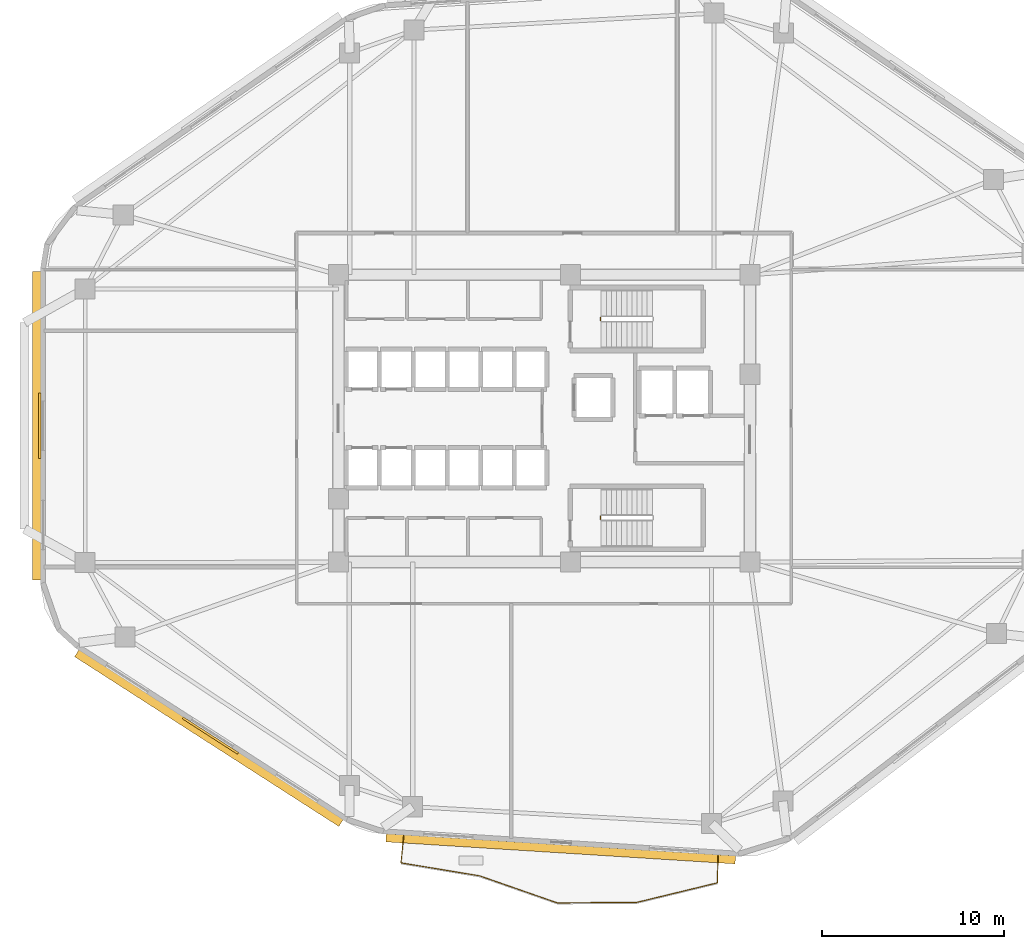
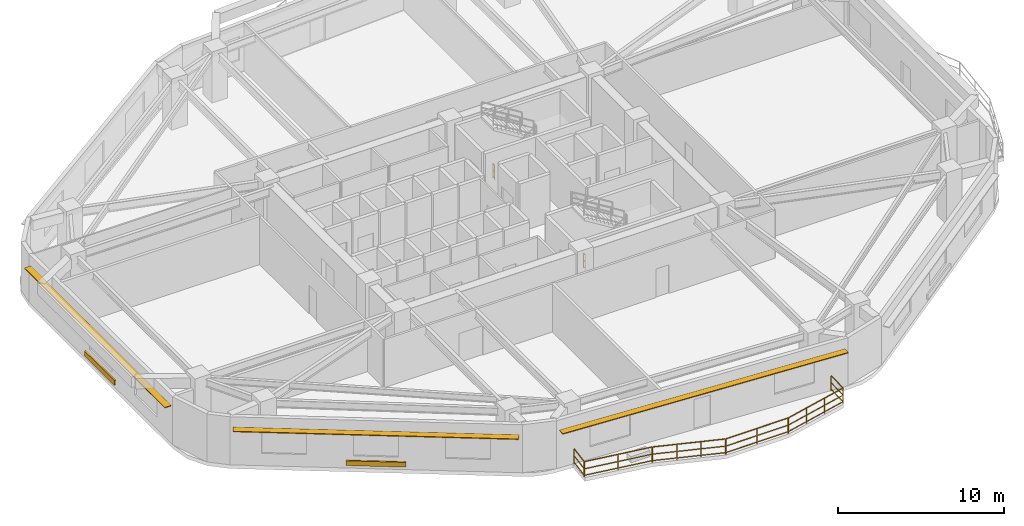
# One storey, part 7 of 9: 8 railings, 5 shading devices.
"""IFC4 building model written with IfcOpenShell, lengths in metres."""

from ifc_helpers import new_model, si_unit, direction, frame, origin, origin_2d, place, context, subcontext, project, spatial, rectangle, extrude, material, layer, layer_set, type_object, element, save


model = new_model("IFC4")

# Units and contexts
model_context = context("Model", 3, precision=1e-05, world=origin(), true_north=direction((0.0, 1.0)))
body_context = subcontext(model_context, "Body", "Model", "MODEL_VIEW")
ifc_project = project(units=[si_unit("LENGTHUNIT", "METRE"), si_unit("AREAUNIT", "SQUARE_METRE"), si_unit("VOLUMEUNIT", "CUBIC_METRE"), si_unit("PLANEANGLEUNIT", "RADIAN"), si_unit("MASSUNIT", "GRAM", prefix="KILO")], contexts=[model_context])

# Site, building, storey
site_placement = place(None, origin())
site = spatial("IfcSite", under=ifc_project, at=site_placement, CompositionType="ELEMENT")
building_placement = place(site_placement, origin())
building = spatial("IfcBuilding", under=site, at=building_placement, Name="Zulverin Broadcast Headquarters", CompositionType="ELEMENT")
storey_placement = place(building_placement, frame((0.0, 0.0, 112.39990234375)))
storey = spatial("IfcBuildingStorey", under=building, at=storey_placement, Name="L28", CompositionType="ELEMENT", Elevation=112.39990234375)

# Railings
ifc_material_1 = material(Name="Brushed stainless steel & laminated glass balustrade", Category="steel")
railing_type_1 = type_object("IfcRailingType", Name="RL-GUARD-1150", PredefinedType="GUARDRAIL", material=ifc_material_1)
railing_1_placement = place(storey_placement, frame((29.3076171875, 2.318603515625, 0.0)))
element("IfcRailing", 1, at=railing_1_placement, inside=storey, type_object=railing_type_1, Name="L28 Vertical-Forest Balcony Guardrail BAL_S Segment 01", PredefinedType="GUARDRAIL", context=body_context, shape_type="SweptSolid", body=[
    extrude(rectangle(XDim=0.048095703125, YDim=0.048095703125, at=origin_2d()), frame((0.0, 0.0, 1.1259765625), z_axis=(-0.103228615139, -0.99465765619, 0.0), x_axis=(0.99465765619, -0.103228615139, 0.0)), (0.0, 0.0, 1.0), 1.46630859375),
    extrude(rectangle(XDim=0.0419921875, YDim=0.0419921875, at=origin_2d()), frame((0.0, 0.0, 0.597900390625), z_axis=(-0.103228615139, -0.99465765619, 0.0), x_axis=(0.99465765619, -0.103228615139, 0.0)), (0.0, 0.0, 1.0), 1.46630859375),
    extrude(rectangle(XDim=0.0419921875, YDim=0.0419921875, at=origin_2d()), frame((0.0, 0.0, 0.1201171875), z_axis=(-0.103228615139, -0.99465765619, 0.0), x_axis=(0.99465765619, -0.103228615139, 0.0)), (0.0, 0.0, 1.0), 1.46630859375),
    extrude(rectangle(XDim=0.0419921875, YDim=0.0419921875, at=origin_2d()), origin(), (0.0, 0.0, 1.0), 1.101806640625),
    extrude(rectangle(XDim=0.0419921875, YDim=0.0419921875, at=origin_2d()), frame((-0.1513671875, -1.45849609375, 0.0)), (0.0, 0.0, 1.0), 1.101806640625),
])
railing_2_placement = place(storey_placement, frame((29.16943359375, 0.8427734375, 0.0)))
element("IfcRailing", 2, at=railing_2_placement, inside=storey, type_object=railing_type_1, Name="L28 Vertical-Forest Balcony Guardrail BAL_S Segment 02", PredefinedType="GUARDRAIL", context=body_context, shape_type="SweptSolid", body=[
    extrude(rectangle(XDim=0.048095703125, YDim=0.048095703125, at=origin_2d()), frame((0.0, 0.0, 1.1259765625), z_axis=(0.986654406781, -0.162828380758, 0.0), x_axis=(0.162828380758, 0.986654406781, 0.0)), (0.0, 0.0, 1.0), 4.336181640625),
    extrude(rectangle(XDim=0.0419921875, YDim=0.0419921875, at=origin_2d()), frame((0.0, 0.0, 0.597900390625), z_axis=(0.986654406781, -0.162828380758, 0.0), x_axis=(0.162828380758, 0.986654406781, 0.0)), (0.0, 0.0, 1.0), 4.336181640625),
    extrude(rectangle(XDim=0.0419921875, YDim=0.0419921875, at=origin_2d()), frame((0.0, 0.0, 0.1201171875), z_axis=(0.986654406781, -0.162828380758, 0.0), x_axis=(0.162828380758, 0.986654406781, 0.0)), (0.0, 0.0, 1.0), 4.336181640625),
    extrude(rectangle(XDim=0.0419921875, YDim=0.0419921875, at=origin_2d()), origin(), (0.0, 0.0, 1.0), 1.101806640625),
    extrude(rectangle(XDim=0.0419921875, YDim=0.0419921875, at=origin_2d()), frame((2.13916015625, -0.35302734375, 0.0)), (0.0, 0.0, 1.0), 1.101806640625),
    extrude(rectangle(XDim=0.0419921875, YDim=0.0419921875, at=origin_2d()), frame((4.2783203125, -0.7060546875, 0.0)), (0.0, 0.0, 1.0), 1.101806640625),
])
railing_3_placement = place(storey_placement, frame((33.476806640625, 0.12939453125, 0.0)))
element("IfcRailing", 3, at=railing_3_placement, inside=storey, type_object=railing_type_1, Name="L28 Vertical-Forest Balcony Guardrail BAL_S Segment 03", PredefinedType="GUARDRAIL", context=body_context, shape_type="SweptSolid", body=[
    extrude(rectangle(XDim=0.048095703125, YDim=0.048095703125, at=origin_2d()), frame((0.0, 0.0, 1.1259765625), z_axis=(0.944409276132, -0.328772138656, 0.0), x_axis=(0.328772138656, 0.944409276132, 0.0)), (0.0, 0.0, 1.0), 4.47998046875),
    extrude(rectangle(XDim=0.0419921875, YDim=0.0419921875, at=origin_2d()), frame((0.0, 0.0, 0.597900390625), z_axis=(0.944409276132, -0.328772138656, 0.0), x_axis=(0.328772138656, 0.944409276132, 0.0)), (0.0, 0.0, 1.0), 4.47998046875),
    extrude(rectangle(XDim=0.0419921875, YDim=0.0419921875, at=origin_2d()), frame((0.0, 0.0, 0.1201171875), z_axis=(0.944409276132, -0.328772138656, 0.0), x_axis=(0.328772138656, 0.944409276132, 0.0)), (0.0, 0.0, 1.0), 4.47998046875),
    extrude(rectangle(XDim=0.0419921875, YDim=0.0419921875, at=origin_2d()), origin(), (0.0, 0.0, 1.0), 1.101806640625),
    extrude(rectangle(XDim=0.0419921875, YDim=0.0419921875, at=origin_2d()), frame((1.410400390625, -0.490966796875, 0.0)), (0.0, 0.0, 1.0), 1.101806640625),
    extrude(rectangle(XDim=0.0419921875, YDim=0.0419921875, at=origin_2d()), frame((2.820556640625, -0.98193359375, 0.0)), (0.0, 0.0, 1.0), 1.101806640625),
    extrude(rectangle(XDim=0.0419921875, YDim=0.0419921875, at=origin_2d()), frame((4.23095703125, -1.472900390625, 0.0)), (0.0, 0.0, 1.0), 1.101806640625),
])
railing_4_placement = place(storey_placement, frame((37.737060546875, -1.348388671875, 0.0)))
element("IfcRailing", 4, at=railing_4_placement, inside=storey, type_object=railing_type_1, Name="L28 Vertical-Forest Balcony Guardrail BAL_S Segment 04", PredefinedType="GUARDRAIL", context=body_context, shape_type="SweptSolid", body=[
    extrude(rectangle(XDim=0.048095703125, YDim=0.048095703125, at=origin_2d()), frame((0.0, 0.0, 1.1259765625), z_axis=(0.999981066695, 0.006153555935, 0.0), x_axis=(-0.006153555935, 0.999981066695, 0.0)), (0.0, 0.0, 1.0), 4.324462890625),
    extrude(rectangle(XDim=0.0419921875, YDim=0.0419921875, at=origin_2d()), frame((0.0, 0.0, 0.597900390625), z_axis=(0.999981066695, 0.006153555935, 0.0), x_axis=(-0.006153555935, 0.999981066695, 0.0)), (0.0, 0.0, 1.0), 4.324462890625),
    extrude(rectangle(XDim=0.0419921875, YDim=0.0419921875, at=origin_2d()), frame((0.0, 0.0, 0.1201171875), z_axis=(0.999981066695, 0.006153555935, 0.0), x_axis=(-0.006153555935, 0.999981066695, 0.0)), (0.0, 0.0, 1.0), 4.324462890625),
    extrude(rectangle(XDim=0.0419921875, YDim=0.0419921875, at=origin_2d()), origin(), (0.0, 0.0, 1.0), 1.101806640625),
    extrude(rectangle(XDim=0.0419921875, YDim=0.0419921875, at=origin_2d()), frame((2.162109375, 0.01318359375, 0.0)), (0.0, 0.0, 1.0), 1.101806640625),
    extrude(rectangle(XDim=0.0419921875, YDim=0.0419921875, at=origin_2d()), frame((4.324462890625, 0.026611328125, 0.0)), (0.0, 0.0, 1.0), 1.101806640625),
])
railing_5_placement = place(storey_placement, frame((42.091064453125, -1.318115234375, 0.0)))
element("IfcRailing", 5, at=railing_5_placement, inside=storey, type_object=railing_type_1, Name="L28 Vertical-Forest Balcony Guardrail BAL_S Segment 05", PredefinedType="GUARDRAIL", context=body_context, shape_type="SweptSolid", body=[
    extrude(rectangle(XDim=0.048095703125, YDim=0.048095703125, at=origin_2d()), frame((0.0, 0.0, 1.1259765625), z_axis=(0.971781840166, 0.23588144294, 0.0), x_axis=(-0.23588144294, 0.971781840166, 0.0)), (0.0, 0.0, 1.0), 4.518798828125),
    extrude(rectangle(XDim=0.0419921875, YDim=0.0419921875, at=origin_2d()), frame((0.0, 0.0, 0.597900390625), z_axis=(0.971781840166, 0.23588144294, 0.0), x_axis=(-0.23588144294, 0.971781840166, 0.0)), (0.0, 0.0, 1.0), 4.518798828125),
    extrude(rectangle(XDim=0.0419921875, YDim=0.0419921875, at=origin_2d()), frame((0.0, 0.0, 0.1201171875), z_axis=(0.971781840166, 0.23588144294, 0.0), x_axis=(-0.23588144294, 0.971781840166, 0.0)), (0.0, 0.0, 1.0), 4.518798828125),
    extrude(rectangle(XDim=0.0419921875, YDim=0.0419921875, at=origin_2d()), origin(), (0.0, 0.0, 1.0), 1.101806640625),
    extrude(rectangle(XDim=0.0419921875, YDim=0.0419921875, at=origin_2d()), frame((1.4638671875, 0.355224609375, 0.0)), (0.0, 0.0, 1.0), 1.101806640625),
    extrude(rectangle(XDim=0.0419921875, YDim=0.0419921875, at=origin_2d()), frame((2.927490234375, 0.710693359375, 0.0)), (0.0, 0.0, 1.0), 1.101806640625),
    extrude(rectangle(XDim=0.0419921875, YDim=0.0419921875, at=origin_2d()), frame((4.391357421875, 1.06591796875, 0.0)), (0.0, 0.0, 1.0), 1.101806640625),
])
railing_6_placement = place(storey_placement, frame((46.497314453125, -0.233642578125, 0.0)))
element("IfcRailing", 6, at=railing_6_placement, inside=storey, type_object=railing_type_1, Name="L28 Vertical-Forest Balcony Guardrail BAL_S Segment 06", PredefinedType="GUARDRAIL", context=body_context, shape_type="SweptSolid", body=[
    extrude(rectangle(XDim=0.048095703125, YDim=0.048095703125, at=origin_2d()), frame((0.0, 0.0, 1.1259765625), z_axis=(0.022641987457, 0.999743637341, 0.0), x_axis=(-0.999743637341, 0.022641987457, 0.0)), (0.0, 0.0, 1.0), 1.466552734375),
    extrude(rectangle(XDim=0.0419921875, YDim=0.0419921875, at=origin_2d()), frame((0.0, 0.0, 0.597900390625), z_axis=(0.022641987457, 0.999743637341, 0.0), x_axis=(-0.999743637341, 0.022641987457, 0.0)), (0.0, 0.0, 1.0), 1.466552734375),
    extrude(rectangle(XDim=0.0419921875, YDim=0.0419921875, at=origin_2d()), frame((0.0, 0.0, 0.1201171875), z_axis=(0.022641987457, 0.999743637341, 0.0), x_axis=(-0.999743637341, 0.022641987457, 0.0)), (0.0, 0.0, 1.0), 1.466552734375),
    extrude(rectangle(XDim=0.0419921875, YDim=0.0419921875, at=origin_2d()), origin(), (0.0, 0.0, 1.0), 1.101806640625),
    extrude(rectangle(XDim=0.0419921875, YDim=0.0419921875, at=origin_2d()), frame((0.033203125, 1.466064453125, 0.0)), (0.0, 0.0, 1.0), 1.101806640625),
])
ifc_material_2 = material(Name="Painted galvanized steel tubular guardrail S355JR", Category="steel")
railing_type_2 = type_object("IfcRailingType", Name="RL-ST-GUARD", PredefinedType="GUARDRAIL", material=ifc_material_2)
railing_7_placement = place(storey_placement, frame((40.080078125, 30.550048828125, 0.0)))
element("IfcRailing", 7, at=railing_7_placement, inside=storey, type_object=railing_type_2, Name="L28 ST-1 stair guard 4", PredefinedType="GUARDRAIL", context=body_context, shape_type="SweptSolid", body=[
    extrude(rectangle(XDim=0.048095703125, YDim=0.048095703125, at=origin_2d()), frame((0.0, 0.0, 1.076171875), z_axis=(0.0, 1.0, 0.0), x_axis=(-1.0, 0.0, 0.0)), (0.0, 0.0, 1.0), 0.199951171875),
    extrude(rectangle(XDim=0.0419921875, YDim=0.0419921875, at=origin_2d()), frame((0.0, 0.0, 0.572021484375), z_axis=(0.0, 1.0, 0.0), x_axis=(-1.0, 0.0, 0.0)), (0.0, 0.0, 1.0), 0.199951171875),
    extrude(rectangle(XDim=0.0419921875, YDim=0.0419921875, at=origin_2d()), frame((0.0, 0.0, 0.1201171875), z_axis=(0.0, 1.0, 0.0), x_axis=(-1.0, 0.0, 0.0)), (0.0, 0.0, 1.0), 0.199951171875),
    extrude(rectangle(XDim=0.0419921875, YDim=0.0419921875, at=origin_2d()), origin(), (0.0, 0.0, 1.0), 1.052001953125),
    extrude(rectangle(XDim=0.0419921875, YDim=0.0419921875, at=origin_2d()), frame((0.0, 0.199951171875, 0.0)), (0.0, 0.0, 1.0), 1.052001953125),
])
railing_8_placement = place(storey_placement, frame((40.080078125, 19.64990234375, 0.0)))
element("IfcRailing", 8, at=railing_8_placement, inside=storey, type_object=railing_type_2, Name="L28 ST-2 stair guard 4", PredefinedType="GUARDRAIL", context=body_context, shape_type="SweptSolid", body=[
    extrude(rectangle(XDim=0.048095703125, YDim=0.048095703125, at=origin_2d()), frame((0.0, 0.0, 1.076171875), z_axis=(0.0, 1.0, 0.0), x_axis=(-1.0, 0.0, 0.0)), (0.0, 0.0, 1.0), 0.2001953125),
    extrude(rectangle(XDim=0.0419921875, YDim=0.0419921875, at=origin_2d()), frame((0.0, 0.0, 0.572021484375), z_axis=(0.0, 1.0, 0.0), x_axis=(-1.0, 0.0, 0.0)), (0.0, 0.0, 1.0), 0.2001953125),
    extrude(rectangle(XDim=0.0419921875, YDim=0.0419921875, at=origin_2d()), frame((0.0, 0.0, 0.1201171875), z_axis=(0.0, 1.0, 0.0), x_axis=(-1.0, 0.0, 0.0)), (0.0, 0.0, 1.0), 0.2001953125),
    extrude(rectangle(XDim=0.0419921875, YDim=0.0419921875, at=origin_2d()), origin(), (0.0, 0.0, 1.0), 1.052001953125),
    extrude(rectangle(XDim=0.0419921875, YDim=0.0419921875, at=origin_2d()), frame((0.0, 0.2001953125, 0.0)), (0.0, 0.0, 1.0), 1.052001953125),
])

# Shading devices
ifc_material_3 = material(Name="Anodized pale-metal aluminium acoustic louvre", Category="aluminium")
shading_device_type_1 = type_object("IfcShadingDeviceType", Name="SHD-LOUVRE-350", PredefinedType="USERDEFINED", material=ifc_material_3)
for number, where, z_axis, x_axis, name in (
    (9, (9.360107421875, 24.7939453125, 0.2451171875), (0.0, 0.0, 1.0), (0.0, -1.0, 0.0), "L28 Spandrel Intake Louvre 7"),
    (10, (18.71630859375, 7.816162109375, 0.2451171875), (0.0, 0.0, 1.0), (0.841296678234, -0.540573676007, 0.0), "L28 Spandrel Intake Louvre 8"),
):
    element("IfcShadingDevice", number, at=place(storey_placement, frame(where, z_axis=z_axis, x_axis=x_axis)), inside=storey, type_object=shading_device_type_1, Name=name, ObjectType="LOUVRE", PredefinedType="USERDEFINED", context=body_context, shape_type="SweptSolid", body=[
        extrude(rectangle(XDim=3.60009765625, YDim=0.1201171875, at=origin_2d()), origin(), (0.0, 0.0, 1.0), 0.35009765625),
    ])
ifc_material_4 = material(Name="Anodized pale-metal aluminium sunshade", Category="aluminium")
ifc_layer = layer(ifc_material_4, 0.06005859375, Name="Anodized pale-metal aluminium sunshade", Category="aluminium")
ifc_layer_set = layer_set([ifc_layer], Name="Anodized pale-metal aluminium sunshade")
shading_device_type_2 = type_object("IfcShadingDeviceType", Name="SS-01_PALE_METAL_ALUMINIUM_SUNSHADE", PredefinedType="USERDEFINED", material=ifc_layer_set)
shading_device_1_placement = place(storey_placement, frame((37.908935546875, 1.61572265625, 2.7099609375), z_axis=(0.0, 0.0, 1.0), x_axis=(0.998017182581, -0.062942062821, 0.0)))
element("IfcShadingDevice", 11, at=shading_device_1_placement, inside=storey, type_object=shading_device_type_2, Name="L28 Horizontal Pale-Metal Sunshade Band 1", ObjectType="SUNSHADE", PredefinedType="USERDEFINED", context=body_context, shape_type="SweptSolid", body=[
    extrude(rectangle(XDim=19.177001953125, YDim=0.449951171875, at=origin_2d()), origin(), (0.0, 0.0, 1.0), 0.06005859375),
])
shading_device_2_placement = place(storey_placement, frame((9.199951171875, 24.7939453125, 2.7099609375), z_axis=(0.0, 0.0, 1.0), x_axis=(0.0, -1.0, 0.0)))
element("IfcShadingDevice", 12, at=shading_device_2_placement, inside=storey, type_object=shading_device_type_2, Name="L28 Horizontal Pale-Metal Sunshade Band 7", ObjectType="SUNSHADE", PredefinedType="USERDEFINED", context=body_context, shape_type="SweptSolid", body=[
    extrude(rectangle(XDim=16.90087890625, YDim=0.449951171875, at=origin_2d()), origin(), (0.0, 0.0, 1.0), 0.06005859375),
])
shading_device_3_placement = place(storey_placement, frame((18.6298828125, 7.681640625, 2.7099609375), z_axis=(0.0, 0.0, 1.0), x_axis=(0.841296678234, -0.540573676007, 0.0)))
element("IfcShadingDevice", 13, at=shading_device_3_placement, inside=storey, type_object=shading_device_type_2, Name="L28 Horizontal Pale-Metal Sunshade Band 8", ObjectType="SUNSHADE", PredefinedType="USERDEFINED", context=body_context, shape_type="SweptSolid", body=[
    extrude(rectangle(XDim=17.2119140625, YDim=0.449951171875, at=origin_2d()), origin(), (0.0, 0.0, 1.0), 0.06005859375),
])

save(model, "model.ifc")
